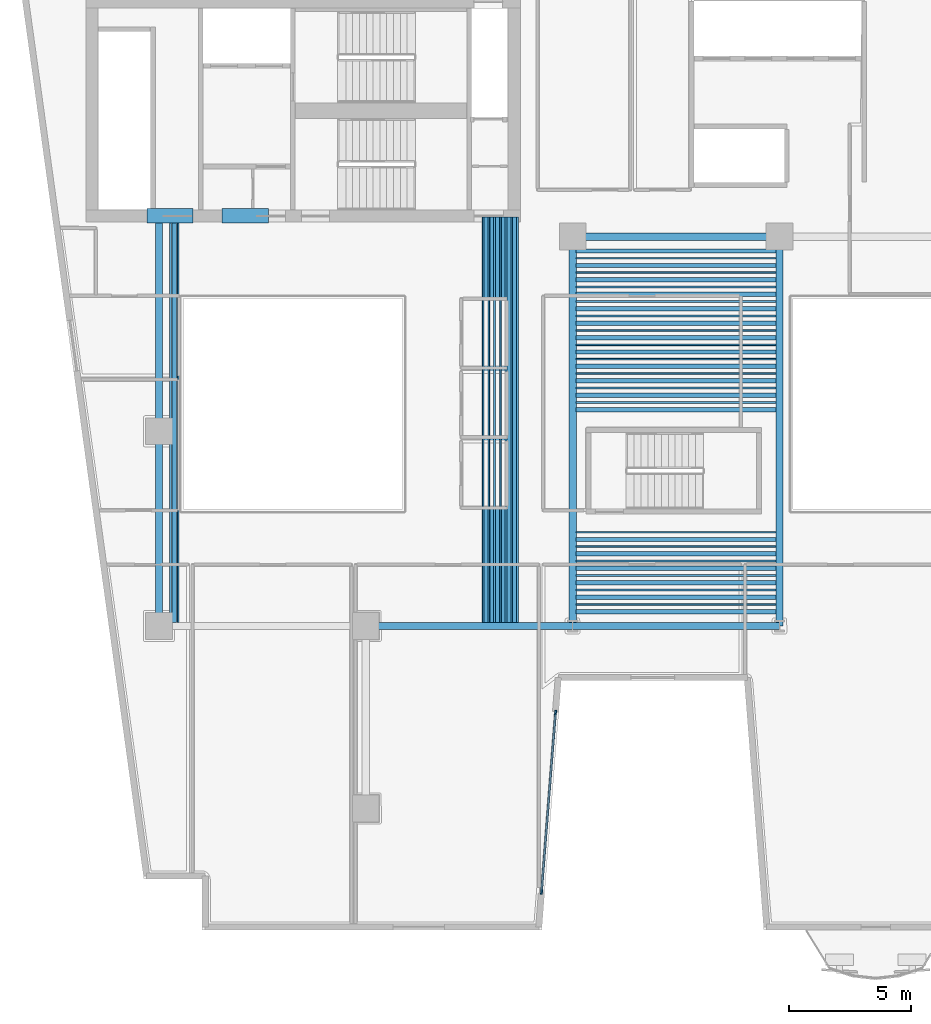
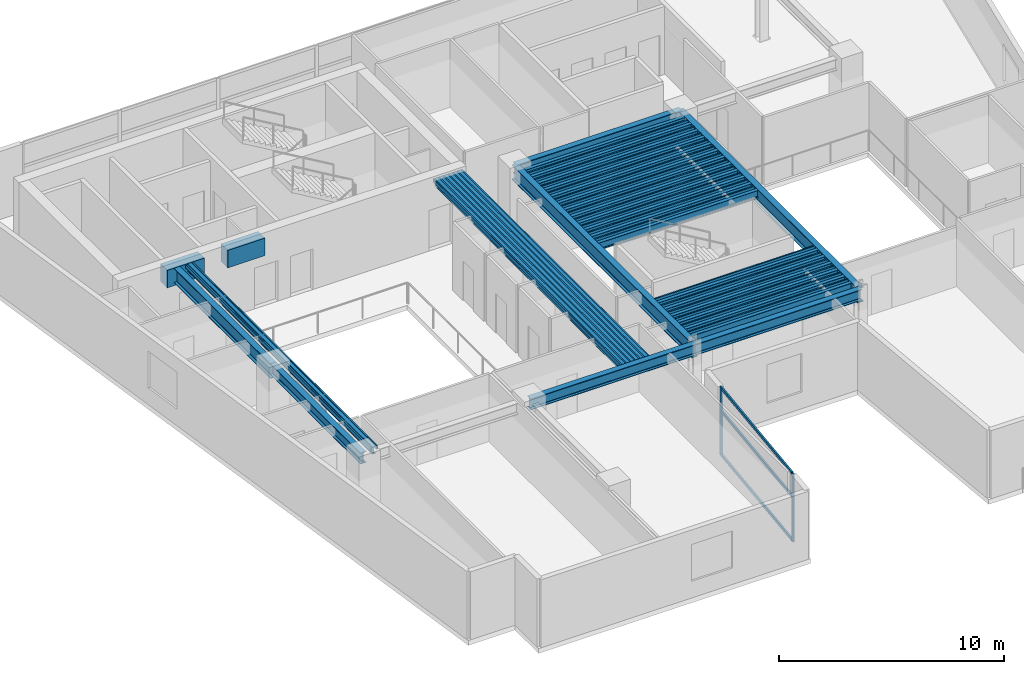
# One storey, part 2 of 13: 60 beams, 5 members, 1 element without a shape of its own.
"""IFC4 building model written with IfcOpenShell, lengths in metres."""

from ifc_helpers import new_model, si_unit, direction, frame, origin, origin_2d, place, context, subcontext, project, spatial, rectangle, hollow_rectangle, i_section, extrude, material, layer, layer_set, material_profile, profile_set, type_object, element, aggregate, save


model = new_model("IFC4")

# Units and contexts
model_context = context("Model", 3, precision=1e-05, world=origin(), true_north=direction((0.0, 1.0)))
body_context = subcontext(model_context, "Body", "Model", "MODEL_VIEW")
ifc_project = project(units=[si_unit("LENGTHUNIT", "METRE"), si_unit("AREAUNIT", "SQUARE_METRE"), si_unit("VOLUMEUNIT", "CUBIC_METRE"), si_unit("PLANEANGLEUNIT", "RADIAN"), si_unit("MASSUNIT", "GRAM", prefix="KILO")], contexts=[model_context])

# Site, building, storey
site_placement = place(None, origin())
site = spatial("IfcSite", under=ifc_project, at=site_placement, CompositionType="ELEMENT")
building_placement = place(site_placement, origin())
building = spatial("IfcBuilding", under=site, at=building_placement, Name="Caeloran Harvest Quay", CompositionType="ELEMENT")
storey_placement = place(building_placement, frame((0.0, 0.0, 170.64990234375)))
storey = spatial("IfcBuildingStorey", under=building, at=storey_placement, Name="L40", CompositionType="ELEMENT", Elevation=170.64990234375)

# Beams
ifc_material_1 = material(Name="Concrete C60/75", Category="concrete")
ifc_material_profile_1 = material_profile(ifc_material_1, rectangle(XDim=0.60009765625, YDim=0.949951171875, at=origin_2d()), Name="RC 600x950")
ifc_profile_set_1 = profile_set([ifc_material_profile_1], Name="Concrete C60/75")
beam_type_1 = type_object("IfcBeamType", Name="BM-CB-2-RC_600x950", PredefinedType="LINTEL", material=ifc_profile_set_1)
for number, where, z_axis, x_axis, name in (
    (1, (8.0, 31.85009765625, 3.215087890625), (1.0, 0.0, 0.0), (0.0, 1.0, 0.0), "L40 Core Coupling Beam 1"),
    (2, (11.10009765625, 31.85009765625, 3.215087890625), (1.0, 0.0, 0.0), (0.0, 1.0, 0.0), "L40 Core Coupling Beam 2"),
):
    element("IfcBeam", number, at=place(storey_placement, frame(where, z_axis=z_axis, x_axis=x_axis)), inside=storey, type_object=beam_type_1, Name=name, PredefinedType="LINTEL", context=body_context, shape_type="SweptSolid", body=[
        extrude(rectangle(XDim=0.60009765625, YDim=0.949951171875, at=origin_2d()), origin(), (0.0, 0.0, 1.0), 1.89990234375),
    ])
ifc_material_2 = material(Name="Steel S355J2", Category="steel")
ifc_material_profile_2 = material_profile(ifc_material_2, i_section(OverallWidth=0.300048828125, OverallDepth=0.800048828125, WebThickness=0.017578125, FlangeThickness=0.032958984375, FilletRadius=0.030029296875, at=origin_2d()), Name="HE 800 B")
ifc_profile_set_2 = profile_set([ifc_material_profile_2], Name="Steel S355J2")
beam_type_2 = type_object("IfcBeamType", Name="BM-PG-1-HE_800_B", PredefinedType="BEAM", material=ifc_profile_set_2)
beam_1_placement = place(storey_placement, frame((8.5, 23.0, 3.2900390625), z_axis=(0.0, 1.0, 0.0), x_axis=(-1.0, 0.0, 0.0)))
element("IfcBeam", 3, at=beam_1_placement, inside=storey, type_object=beam_type_2, Name="L40 Core South Tie Girder X=8.5", PredefinedType="BEAM", context=body_context, shape_type="SweptSolid", body=[
    extrude(i_section(OverallWidth=0.300048828125, OverallDepth=0.800048828125, WebThickness=0.017578125, FlangeThickness=0.032958984375, FilletRadius=0.030029296875, at=origin_2d()), origin(), (0.0, 0.0, 1.0), 8.800048828125),
])
for number, where, z_axis, x_axis, name in (
    (4, (25.5, 15.0, 3.2900390625), (0.0, 1.0, 0.0), (-1.0, 0.0, 0.0), "L40 Primary North-South Girder X=25.5"),
    (5, (34.0, 15.0, 3.2900390625), (0.0, 1.0, 0.0), (-1.0, 0.0, 0.0), "L40 Primary North-South Girder X=34.0"),
):
    element("IfcBeam", number, at=place(storey_placement, frame(where, z_axis=z_axis, x_axis=x_axis)), inside=storey, type_object=beam_type_2, Name=name, PredefinedType="BEAM", context=body_context, shape_type="SweptSolid", body=[
        extrude(i_section(OverallWidth=0.300048828125, OverallDepth=0.800048828125, WebThickness=0.017578125, FlangeThickness=0.032958984375, FilletRadius=0.030029296875, at=origin_2d()), origin(), (0.0, 0.0, 1.0), 16.0),
    ])
ifc_material_profile_3 = material_profile(ifc_material_2, i_section(OverallWidth=0.300048828125, OverallDepth=0.60009765625, WebThickness=0.015380859375, FlangeThickness=0.030029296875, FilletRadius=0.027099609375, at=origin_2d()), Name="HE 600 B")
ifc_profile_set_3 = profile_set([ifc_material_profile_3], Name="Steel S355J2")
beam_type_3 = type_object("IfcBeamType", Name="BM-PG-3-HE_600_B", PredefinedType="BEAM", material=ifc_profile_set_3)
for number, where, z_axis, x_axis, name in (
    (6, (17.0, 15.0, 3.39013671875), (1.0, 0.0, 0.0), (0.0, 1.0, 0.0), "L40 Primary East-West Girder Y=15.0"),
    (7, (25.5, 15.0, 3.39013671875), (1.0, 0.0, 0.0), (0.0, 1.0, 0.0), "L40 Primary East-West Girder Y=15.0"),
    (8, (25.5, 31.0, 3.39013671875), (1.0, 0.0, 0.0), (0.0, 1.0, 0.0), "L40 Primary East-West Girder Y=31.0"),
):
    element("IfcBeam", number, at=place(storey_placement, frame(where, z_axis=z_axis, x_axis=x_axis)), inside=storey, type_object=beam_type_3, Name=name, PredefinedType="BEAM", context=body_context, shape_type="SweptSolid", body=[
        extrude(i_section(OverallWidth=0.300048828125, OverallDepth=0.60009765625, WebThickness=0.015380859375, FlangeThickness=0.030029296875, FilletRadius=0.027099609375, at=origin_2d()), origin(), (0.0, 0.0, 1.0), 8.5),
    ])
beam_2_placement = place(storey_placement, frame((8.5, 15.0, 3.39013671875), z_axis=(0.0, 1.0, 0.0), x_axis=(-1.0, 0.0, 0.0)))
element("IfcBeam", 9, at=beam_2_placement, inside=storey, type_object=beam_type_3, Name="L40 Primary North-South Girder X=8.5", PredefinedType="BEAM", context=body_context, shape_type="SweptSolid", body=[
    extrude(i_section(OverallWidth=0.300048828125, OverallDepth=0.60009765625, WebThickness=0.015380859375, FlangeThickness=0.030029296875, FilletRadius=0.027099609375, at=origin_2d()), origin(), (0.0, 0.0, 1.0), 8.0),
])
ifc_material_profile_4 = material_profile(ifc_material_2, i_section(OverallWidth=0.179931640625, OverallDepth=0.39990234375, WebThickness=0.008544921875, FlangeThickness=0.013427734375, FilletRadius=0.02099609375, at=origin_2d()), Name="IPE 400")
ifc_profile_set_4 = profile_set([ifc_material_profile_4], Name="Steel S355J2")
beam_type_4 = type_object("IfcBeamType", Name="BM-SB-4-IPE_400", PredefinedType="JOIST", material=ifc_profile_set_4)
for number, where, z_axis, x_axis, name in (
    (10, (9.129638671875, 15.14501953125, 3.489990234375), (0.0, 1.0, 0.0), (-1.0, 0.0, 0.0), "L40 Secondary Composite Joist"),
    (11, (21.93896484375, 15.14501953125, 3.489990234375), (0.0, 1.0, 0.0), (-1.0, 0.0, 0.0), "L40 Secondary Composite Joist"),
    (12, (22.174072265625, 15.14501953125, 3.489990234375), (0.0, 1.0, 0.0), (-1.0, 0.0, 0.0), "L40 Secondary Composite Joist"),
    (13, (22.4091796875, 15.14501953125, 3.489990234375), (0.0, 1.0, 0.0), (-1.0, 0.0, 0.0), "L40 Secondary Composite Joist"),
    (14, (22.644287109375, 15.14501953125, 3.489990234375), (0.0, 1.0, 0.0), (-1.0, 0.0, 0.0), "L40 Secondary Composite Joist"),
    (15, (22.879638671875, 15.14501953125, 3.489990234375), (0.0, 1.0, 0.0), (-1.0, 0.0, 0.0), "L40 Secondary Composite Joist"),
    (16, (23.11474609375, 15.14501953125, 3.489990234375), (0.0, 1.0, 0.0), (-1.0, 0.0, 0.0), "L40 Secondary Composite Joist"),
):
    element("IfcBeam", number, at=place(storey_placement, frame(where, z_axis=z_axis, x_axis=x_axis)), inside=storey, type_object=beam_type_4, Name=name, PredefinedType="JOIST", context=body_context, shape_type="SweptSolid", body=[
        extrude(i_section(OverallWidth=0.179931640625, OverallDepth=0.39990234375, WebThickness=0.008544921875, FlangeThickness=0.013427734375, FilletRadius=0.02099609375, at=origin_2d()), origin(), (0.0, 0.0, 1.0), 16.655029296875),
    ])
for number, where, z_axis, x_axis, name in (
    (17, (25.64501953125, 15.592529296875, 3.489990234375), (1.0, 0.0, 0.0), (0.0, 1.0, 0.0), "L40 Secondary East-West Composite Joist"),
    (18, (25.64501953125, 16.185302734375, 3.489990234375), (1.0, 0.0, 0.0), (0.0, 1.0, 0.0), "L40 Secondary East-West Composite Joist"),
    (19, (25.64501953125, 16.77783203125, 3.489990234375), (1.0, 0.0, 0.0), (0.0, 1.0, 0.0), "L40 Secondary East-West Composite Joist"),
    (20, (25.64501953125, 17.370361328125, 3.489990234375), (1.0, 0.0, 0.0), (0.0, 1.0, 0.0), "L40 Secondary East-West Composite Joist"),
    (21, (25.64501953125, 17.962890625, 3.489990234375), (1.0, 0.0, 0.0), (0.0, 1.0, 0.0), "L40 Secondary East-West Composite Joist"),
    (22, (25.64501953125, 18.5556640625, 3.489990234375), (1.0, 0.0, 0.0), (0.0, 1.0, 0.0), "L40 Secondary East-West Composite Joist"),
    (23, (25.64501953125, 23.888916015625, 3.489990234375), (1.0, 0.0, 0.0), (0.0, 1.0, 0.0), "L40 Secondary East-West Composite Joist"),
    (24, (25.64501953125, 24.4814453125, 3.489990234375), (1.0, 0.0, 0.0), (0.0, 1.0, 0.0), "L40 Secondary East-West Composite Joist"),
    (25, (25.64501953125, 25.07421875, 3.489990234375), (1.0, 0.0, 0.0), (0.0, 1.0, 0.0), "L40 Secondary East-West Composite Joist"),
    (26, (25.64501953125, 25.666748046875, 3.489990234375), (1.0, 0.0, 0.0), (0.0, 1.0, 0.0), "L40 Secondary East-West Composite Joist"),
    (27, (25.64501953125, 26.25927734375, 3.489990234375), (1.0, 0.0, 0.0), (0.0, 1.0, 0.0), "L40 Secondary East-West Composite Joist"),
    (28, (25.64501953125, 26.851806640625, 3.489990234375), (1.0, 0.0, 0.0), (0.0, 1.0, 0.0), "L40 Secondary East-West Composite Joist"),
    (29, (25.64501953125, 27.4443359375, 3.489990234375), (1.0, 0.0, 0.0), (0.0, 1.0, 0.0), "L40 Secondary East-West Composite Joist"),
    (30, (25.64501953125, 28.037109375, 3.489990234375), (1.0, 0.0, 0.0), (0.0, 1.0, 0.0), "L40 Secondary East-West Composite Joist"),
    (31, (25.64501953125, 28.629638671875, 3.489990234375), (1.0, 0.0, 0.0), (0.0, 1.0, 0.0), "L40 Secondary East-West Composite Joist"),
    (32, (25.64501953125, 29.22216796875, 3.489990234375), (1.0, 0.0, 0.0), (0.0, 1.0, 0.0), "L40 Secondary East-West Composite Joist"),
    (33, (25.64501953125, 29.814697265625, 3.489990234375), (1.0, 0.0, 0.0), (0.0, 1.0, 0.0), "L40 Secondary East-West Composite Joist"),
    (34, (25.64501953125, 30.407470703125, 3.489990234375), (1.0, 0.0, 0.0), (0.0, 1.0, 0.0), "L40 Secondary East-West Composite Joist"),
):
    element("IfcBeam", number, at=place(storey_placement, frame(where, z_axis=z_axis, x_axis=x_axis)), inside=storey, type_object=beam_type_4, Name=name, PredefinedType="JOIST", context=body_context, shape_type="SweptSolid", body=[
        extrude(i_section(OverallWidth=0.179931640625, OverallDepth=0.39990234375, WebThickness=0.008544921875, FlangeThickness=0.013427734375, FilletRadius=0.02099609375, at=origin_2d()), origin(), (0.0, 0.0, 1.0), 8.2099609375),
    ])
ifc_material_profile_5 = material_profile(ifc_material_2, hollow_rectangle(XDim=0.080078125, YDim=0.199951171875, WallThickness=0.006103515625, InnerFilletRadius=0.006103515625, OuterFilletRadius=0.009033203125, at=origin_2d()), Name="RHS 200x80x6")
ifc_profile_set_5 = profile_set([ifc_material_profile_5], Name="Steel S355J2")
beam_type_5 = type_object("IfcBeamType", Name="BM-SB-7-RHS_200x80x6", PredefinedType="JOIST", material=ifc_profile_set_5)
for number, where, z_axis, x_axis, name in (
    (35, (8.97216796875, 15.14501953125, 3.590087890625), (0.0, 1.0, 0.0), (-1.0, 0.0, 0.0), "L40 Secondary Composite Joist"),
    (36, (9.287109375, 15.14501953125, 3.590087890625), (0.0, 1.0, 0.0), (-1.0, 0.0, 0.0), "L40 Secondary Composite Joist"),
    (37, (21.8212890625, 15.14501953125, 3.590087890625), (0.0, 1.0, 0.0), (-1.0, 0.0, 0.0), "L40 Secondary Composite Joist"),
    (38, (22.056396484375, 15.14501953125, 3.590087890625), (0.0, 1.0, 0.0), (-1.0, 0.0, 0.0), "L40 Secondary Composite Joist"),
    (39, (22.291748046875, 15.14501953125, 3.590087890625), (0.0, 1.0, 0.0), (-1.0, 0.0, 0.0), "L40 Secondary Composite Joist"),
    (40, (22.52685546875, 15.14501953125, 3.590087890625), (0.0, 1.0, 0.0), (-1.0, 0.0, 0.0), "L40 Secondary Composite Joist"),
    (41, (22.761962890625, 15.14501953125, 3.590087890625), (0.0, 1.0, 0.0), (-1.0, 0.0, 0.0), "L40 Secondary Composite Joist"),
    (42, (22.997314453125, 15.14501953125, 3.590087890625), (0.0, 1.0, 0.0), (-1.0, 0.0, 0.0), "L40 Secondary Composite Joist"),
    (43, (23.232421875, 15.14501953125, 3.590087890625), (0.0, 1.0, 0.0), (-1.0, 0.0, 0.0), "L40 Secondary Composite Joist"),
):
    element("IfcBeam", number, at=place(storey_placement, frame(where, z_axis=z_axis, x_axis=x_axis)), inside=storey, type_object=beam_type_5, Name=name, PredefinedType="JOIST", context=body_context, shape_type="SweptSolid", body=[
        extrude(hollow_rectangle(XDim=0.080078125, YDim=0.199951171875, WallThickness=0.006103515625, InnerFilletRadius=0.006103515625, OuterFilletRadius=0.009033203125, at=origin_2d()), origin(), (0.0, 0.0, 1.0), 16.655029296875),
    ])
for number, where, z_axis, x_axis, name in (
    (44, (25.64501953125, 15.888916015625, 3.590087890625), (1.0, 0.0, 0.0), (0.0, 1.0, 0.0), "L40 Secondary East-West Composite Joist"),
    (45, (25.64501953125, 16.4814453125, 3.590087890625), (1.0, 0.0, 0.0), (0.0, 1.0, 0.0), "L40 Secondary East-West Composite Joist"),
    (46, (25.64501953125, 17.07421875, 3.590087890625), (1.0, 0.0, 0.0), (0.0, 1.0, 0.0), "L40 Secondary East-West Composite Joist"),
    (47, (25.64501953125, 17.666748046875, 3.590087890625), (1.0, 0.0, 0.0), (0.0, 1.0, 0.0), "L40 Secondary East-West Composite Joist"),
    (48, (25.64501953125, 18.25927734375, 3.590087890625), (1.0, 0.0, 0.0), (0.0, 1.0, 0.0), "L40 Secondary East-West Composite Joist"),
    (49, (25.64501953125, 18.851806640625, 3.590087890625), (1.0, 0.0, 0.0), (0.0, 1.0, 0.0), "L40 Secondary East-West Composite Joist"),
    (50, (25.64501953125, 24.185302734375, 3.590087890625), (1.0, 0.0, 0.0), (0.0, 1.0, 0.0), "L40 Secondary East-West Composite Joist"),
    (51, (25.64501953125, 24.77783203125, 3.590087890625), (1.0, 0.0, 0.0), (0.0, 1.0, 0.0), "L40 Secondary East-West Composite Joist"),
    (52, (25.64501953125, 25.370361328125, 3.590087890625), (1.0, 0.0, 0.0), (0.0, 1.0, 0.0), "L40 Secondary East-West Composite Joist"),
    (53, (25.64501953125, 25.962890625, 3.590087890625), (1.0, 0.0, 0.0), (0.0, 1.0, 0.0), "L40 Secondary East-West Composite Joist"),
    (54, (25.64501953125, 26.5556640625, 3.590087890625), (1.0, 0.0, 0.0), (0.0, 1.0, 0.0), "L40 Secondary East-West Composite Joist"),
    (55, (25.64501953125, 27.148193359375, 3.590087890625), (1.0, 0.0, 0.0), (0.0, 1.0, 0.0), "L40 Secondary East-West Composite Joist"),
    (56, (25.64501953125, 27.74072265625, 3.590087890625), (1.0, 0.0, 0.0), (0.0, 1.0, 0.0), "L40 Secondary East-West Composite Joist"),
    (57, (25.64501953125, 28.333251953125, 3.590087890625), (1.0, 0.0, 0.0), (0.0, 1.0, 0.0), "L40 Secondary East-West Composite Joist"),
    (58, (25.64501953125, 28.92578125, 3.590087890625), (1.0, 0.0, 0.0), (0.0, 1.0, 0.0), "L40 Secondary East-West Composite Joist"),
    (59, (25.64501953125, 29.5185546875, 3.590087890625), (1.0, 0.0, 0.0), (0.0, 1.0, 0.0), "L40 Secondary East-West Composite Joist"),
    (60, (25.64501953125, 30.111083984375, 3.590087890625), (1.0, 0.0, 0.0), (0.0, 1.0, 0.0), "L40 Secondary East-West Composite Joist"),
):
    element("IfcBeam", number, at=place(storey_placement, frame(where, z_axis=z_axis, x_axis=x_axis)), inside=storey, type_object=beam_type_5, Name=name, PredefinedType="JOIST", context=body_context, shape_type="SweptSolid", body=[
        extrude(hollow_rectangle(XDim=0.080078125, YDim=0.199951171875, WallThickness=0.006103515625, InnerFilletRadius=0.006103515625, OuterFilletRadius=0.009033203125, at=origin_2d()), origin(), (0.0, 0.0, 1.0), 8.2099609375),
    ])

# Curtain wall, members
ifc_material_3 = material(Name="Aluminium 6063-T6 and Low-E Glazing", Category="aluminium")
ifc_layer = layer(ifc_material_3, 0.22998046875, Name="Aluminium 6063-T6 and Low-E Glazing")
ifc_layer_set = layer_set([ifc_layer], Name="Aluminium 6063-T6 and Low-E Glazing")
curtain_wall_type = type_object("IfcCurtainWallType", Name="CW-SYS-CW-6", PredefinedType="USERDEFINED", material=ifc_layer_set)
curtain_wall_placement = place(storey_placement, origin())
curtain_wall = element("IfcCurtainWall", 61, at=curtain_wall_placement, inside=storey, type_object=curtain_wall_type, Name="L40 Unitised Curtain Wall CW-6 Run 15", ObjectType="CURTAIN_WALL", PredefinedType="USERDEFINED")
ifc_material_4 = material(Name="Aluminium 6063-T6", Category="aluminium")
ifc_material_profile_6 = material_profile(ifc_material_4, rectangle(XDim=0.080078125, YDim=0.179931640625, at=origin_2d()), Name="CW-MULLION-180")
ifc_profile_set_6 = profile_set([ifc_material_profile_6], Name="Aluminium 6063-T6")
member_type_1 = type_object("IfcMemberType", Name="CW-MULLION-180", PredefinedType="MULLION", material=ifc_profile_set_6)
member_1_placement = place(storey_placement, frame((24.7978515625, 11.4443359375, 0.0), z_axis=(0.0, 0.0, 1.0), x_axis=(0.996967280277, -0.077821861046, 0.0)))
member_1 = element("IfcMember", 62, at=member_1_placement, type_object=member_type_1, Name="CW-6 mullion 1", PredefinedType="MULLION", context=body_context, shape_type="SweptSolid", body=[
    extrude(rectangle(XDim=0.080078125, YDim=0.179931640625, at=origin_2d()), origin(), (0.0, 0.0, 1.0), 3.690185546875),
])
member_2_placement = place(storey_placement, frame((24.221923828125, 4.065673828125, 0.0), z_axis=(0.0, 0.0, 1.0), x_axis=(0.996967280277, -0.077821861046, 0.0)))
member_2 = element("IfcMember", 63, at=member_2_placement, type_object=member_type_1, Name="CW-6 mullion 2", PredefinedType="MULLION", context=body_context, shape_type="SweptSolid", body=[
    extrude(rectangle(XDim=0.080078125, YDim=0.179931640625, at=origin_2d()), origin(), (0.0, 0.0, 1.0), 3.690185546875),
])
ifc_material_profile_7 = material_profile(ifc_material_4, rectangle(XDim=0.080078125, YDim=0.14990234375, at=origin_2d()), Name="CW-TRANSOM-150")
ifc_profile_set_7 = profile_set([ifc_material_profile_7], Name="Aluminium 6063-T6")
member_type_2 = type_object("IfcMemberType", Name="CW-TRANSOM-150", PredefinedType="USERDEFINED", material=ifc_profile_set_7)
member_3_placement = place(storey_placement, frame((24.794677734375, 11.404541015625, 0.0400390625), z_axis=(-0.077831218093, -0.996966549835, 0.0), x_axis=(0.996966549835, -0.077831218093, 0.0)))
member_3 = element("IfcMember", 64, at=member_3_placement, type_object=member_type_2, Name="CW-6 transom 1.1", ObjectType="TRANSOM", PredefinedType="USERDEFINED", context=body_context, shape_type="SweptSolid", body=[
    extrude(rectangle(XDim=0.080078125, YDim=0.14990234375, at=origin_2d()), origin(), (0.0, 0.0, 1.0), 7.3212890625),
])
member_4_placement = place(storey_placement, frame((24.794677734375, 11.404541015625, 2.400146484375), z_axis=(-0.077831218093, -0.996966549835, 0.0), x_axis=(0.996966549835, -0.077831218093, 0.0)))
member_4 = element("IfcMember", 65, at=member_4_placement, type_object=member_type_2, Name="CW-6 transom 1.2", ObjectType="TRANSOM", PredefinedType="USERDEFINED", context=body_context, shape_type="SweptSolid", body=[
    extrude(rectangle(XDim=0.080078125, YDim=0.14990234375, at=origin_2d()), origin(), (0.0, 0.0, 1.0), 7.3212890625),
])
member_5_placement = place(storey_placement, frame((24.794677734375, 11.404541015625, 3.650146484375), z_axis=(-0.077831218093, -0.996966549835, 0.0), x_axis=(0.996966549835, -0.077831218093, 0.0)))
member_5 = element("IfcMember", 66, at=member_5_placement, type_object=member_type_2, Name="CW-6 transom 1.3", ObjectType="TRANSOM", PredefinedType="USERDEFINED", context=body_context, shape_type="SweptSolid", body=[
    extrude(rectangle(XDim=0.080078125, YDim=0.14990234375, at=origin_2d()), origin(), (0.0, 0.0, 1.0), 7.3212890625),
])
aggregate(curtain_wall, [member_1, member_2, member_3, member_4, member_5])

save(model, "model.ifc")
